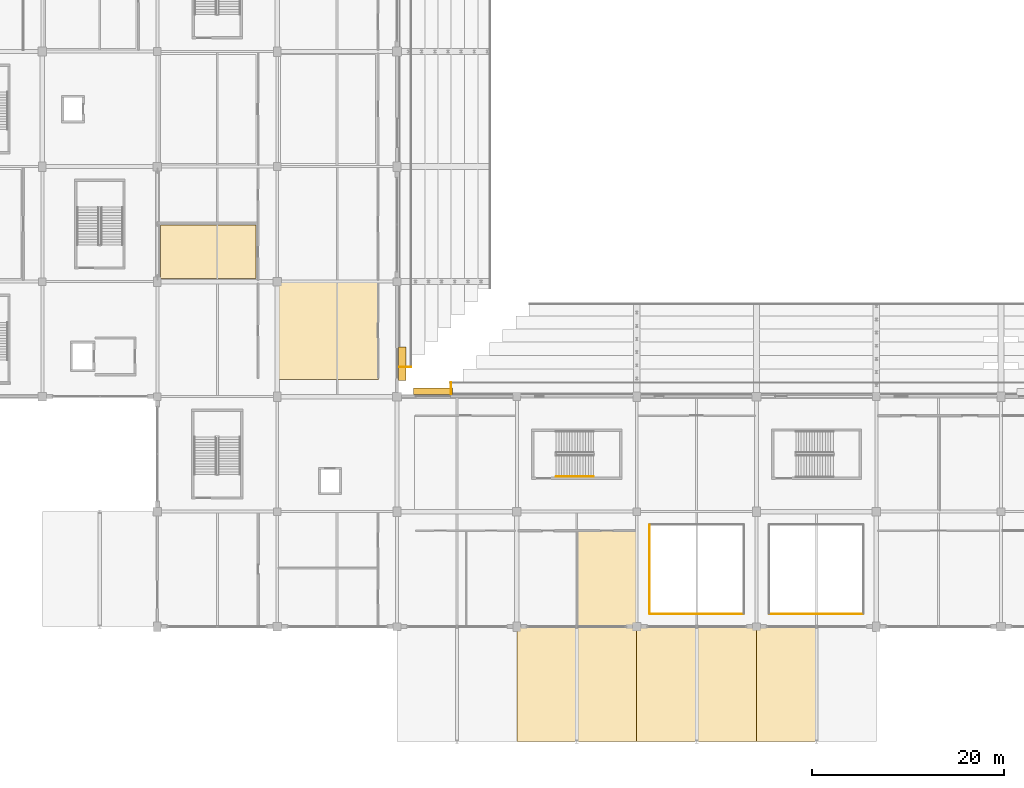
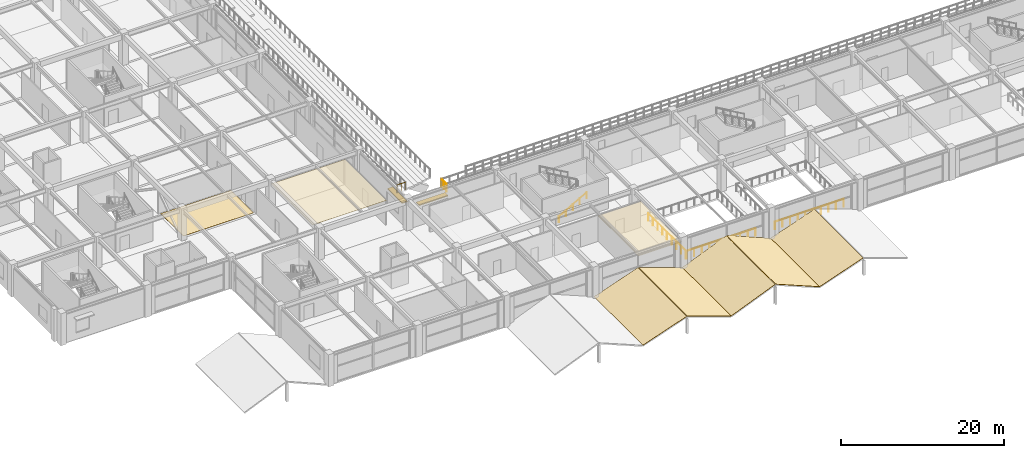
# One storey, part 100 of 134: 8 coverings, 6 railings, 2 shading devices.
"""IFC4 building model written with IfcOpenShell, lengths in metres."""

from ifc_helpers import new_model, si_unit, direction, frame, origin, origin_2d, place, context, subcontext, project, spatial, polyline, rectangle, circle, outline, extrude, material, layer, layer_set, type_object, element, save


model = new_model("IFC4")

# Units and contexts
model_context = context("Model", 3, precision=1e-05, world=origin(), true_north=direction((0.0, 1.0)))
body_context = subcontext(model_context, "Body", "Model", "MODEL_VIEW")
ifc_project = project(units=[si_unit("LENGTHUNIT", "METRE"), si_unit("AREAUNIT", "SQUARE_METRE"), si_unit("VOLUMEUNIT", "CUBIC_METRE"), si_unit("PLANEANGLEUNIT", "RADIAN"), si_unit("MASSUNIT", "GRAM", prefix="KILO")], contexts=[model_context])

# Site, building, storey
site_placement = place(None, origin())
site = spatial("IfcSite", under=ifc_project, at=site_placement, CompositionType="ELEMENT")
building_placement = place(site_placement, origin())
building = spatial("IfcBuilding", under=site, at=building_placement, Name="Kazenohara Klinker Stadium", CompositionType="ELEMENT")
storey_placement = place(building_placement, frame((0.0, 0.0, 5.39990234375)))
storey = spatial("IfcBuildingStorey", under=building, at=storey_placement, Name="L01", CompositionType="ELEMENT", Elevation=5.39990234375)

# Coverings
ifc_material_1 = material(Name="Perforated acoustic mineral-fibre ceiling tile", Category="gypsum")
ifc_layer_1 = layer(ifc_material_1, 0.030029296875)
ifc_layer_set_1 = layer_set([ifc_layer_1], Name="Perforated acoustic mineral-fibre ceiling tile")
covering_type_1 = type_object("IfcCoveringType", Name="COV-CEIL-01", PredefinedType="CEILING", material=ifc_layer_set_1)
covering_1_placement = place(storey_placement, frame((0.0, 0.0, 3.75)))
element("IfcCovering", 1, at=covering_1_placement, inside=storey, type_object=covering_type_1, Name="Suspended acoustic ceiling CL01 Concourse Hokkaido Seafood Bistro L01-0303A", PredefinedType="CEILING", context=body_context, shape_type="SweptSolid", body=[
    extrude(outline(polyline([(36.56005859375, 37.800048828125), (47.0400390625, 37.800048828125), (47.0400390625, 47.9599609375), (36.56005859375, 47.9599609375), (36.56005859375, 37.800048828125)])), origin(), (0.0, 0.0, 1.0), 0.030029296875),
])
covering_2_placement = place(storey_placement, frame((0.0, 0.0, 3.75)))
element("IfcCovering", 2, at=covering_2_placement, inside=storey, type_object=covering_type_1, Name="Suspended acoustic ceiling CL01 Youth Sports Coaching Classroom L01-0501B", PredefinedType="CEILING", context=body_context, shape_type="SweptSolid", body=[
    extrude(outline(polyline([(67.831787109375, 12.06005859375), (73.9599609375, 12.06005859375), (73.9599609375, 22.0400390625), (67.831787109375, 22.0400390625), (67.831787109375, 12.06005859375)])), origin(), (0.0, 0.0, 1.0), 0.030029296875),
])
ifc_material_2 = material(Name="Cushioned EPDM sports rubber flooring", Category="rubber")
ifc_layer_2 = layer(ifc_material_2, 0.014892578125)
ifc_layer_set_2 = layer_set([ifc_layer_2], Name="Cushioned EPDM sports rubber flooring")
covering_type_2 = type_object("IfcCoveringType", Name="COV-FLR-02", PredefinedType="FLOORING", material=ifc_layer_set_2)
covering_3_placement = place(storey_placement, origin())
element("IfcCovering", 3, at=covering_3_placement, inside=storey, type_object=covering_type_2, Name="Interior floor finish FL02 Family Sensory Hospitality Lounge L01-0204A", PredefinedType="FLOORING", context=body_context, shape_type="SweptSolid", body=[
    extrude(outline(polyline([(24.330078125, 48.31005859375), (34.27001953125, 48.31005859375), (34.27001953125, 53.88671875), (24.330078125, 53.88671875), (24.330078125, 48.31005859375)])), origin(), (0.0, 0.0, 1.0), 0.01513671875),
])
ifc_material_3 = material(Name="Insulated standing-seam copper roofing", Category="metal")
ifc_layer_3 = layer(ifc_material_3, 0.050048828125)
ifc_layer_set_3 = layer_set([ifc_layer_3], Name="Insulated standing-seam copper roofing")
covering_type_3 = type_object("IfcCoveringType", Name="COV-ROOF-01", PredefinedType="ROOFING", material=ifc_layer_set_3)
for number, where, z_axis, x_axis, name in (
    (4, (61.5, 0.0, -0.02978515625), (-0.327622925614, 0.0, 0.944808561886), (0.944808561886, 0.0, 0.327622925614), "Standing-seam copper stepped wing roofing L01-A 6/A"),
    (5, (67.800048828125, 0.0, 2.1201171875), (0.327622925614, 0.0, 0.944808561886), (0.944808561886, 0.0, -0.327622925614), "Standing-seam copper stepped wing roofing L01-B 6/A"),
):
    element("IfcCovering", number, at=place(storey_placement, frame(where, z_axis=z_axis, x_axis=x_axis)), inside=storey, type_object=covering_type_3, Name=name, PredefinedType="ROOFING", context=body_context, shape_type="SweptSolid", body=[
        extrude(outline(polyline([(0.0, 0.0), (6.5621242461032345, 0.0), (6.5621242461032345, 12.0), (0.0, 12.0), (0.0, 0.0)])), origin(), (0.0, 0.0, -1.0), 0.050048828125),
    ])
for number, where, z_axis, x_axis, name in (
    (6, (74.0, 0.0, -0.02978515625), (-0.380352293876, 0.0, 0.924841679718), (0.924841679718, 0.0, 0.380352293876), "Standing-seam copper stepped wing roofing L01-A 7/A"),
    (7, (80.300048828125, 0.0, 2.52001953125), (0.380352293876, 0.0, 0.924841679718), (0.924841679718, 0.0, -0.380352293876), "Standing-seam copper stepped wing roofing L01-B 7/A"),
):
    element("IfcCovering", number, at=place(storey_placement, frame(where, z_axis=z_axis, x_axis=x_axis)), inside=storey, type_object=covering_type_3, Name=name, PredefinedType="ROOFING", context=body_context, shape_type="SweptSolid", body=[
        extrude(outline(polyline([(0.0, 0.0), (6.703797317791698, 0.0), (6.703797317791698, 12.0), (0.0, 12.0), (0.0, 0.0)])), origin(), (0.0, 0.0, -1.0), 0.050048828125),
    ])
covering_4_placement = place(storey_placement, frame((86.5, 0.0, -0.02978515625), z_axis=(-0.327622925614, 0.0, 0.944808561886), x_axis=(0.944808561886, 0.0, 0.327622925614)))
element("IfcCovering", 8, at=covering_4_placement, inside=storey, type_object=covering_type_3, Name="Standing-seam copper stepped wing roofing L01-A 8/A", PredefinedType="ROOFING", context=body_context, shape_type="SweptSolid", body=[
    extrude(outline(polyline([(0.0, 0.0), (6.5621242461032345, 0.0), (6.5621242461032345, 12.0), (0.0, 12.0), (0.0, 0.0)])), origin(), (0.0, 0.0, -1.0), 0.050048828125),
])

# Railings
ifc_material_4 = material(Name="Tempered laminated glass and stainless steel 316 balustrade", Category="steel")
ifc_layer_4 = layer(ifc_material_4, 0.090087890625)
ifc_layer_set_4 = layer_set([ifc_layer_4], Name="Tempered laminated glass and stainless steel 316 balustrade")
railing_type_1 = type_object("IfcRailingType", Name="RL-BAL-1150", PredefinedType="BALUSTRADE", material=ifc_layer_set_4)
railing_1_placement = place(storey_placement, frame((75.3701171875, 13.320068359375, 0.0)))
element("IfcRailing", 9, at=railing_1_placement, inside=storey, type_object=railing_type_1, Name="Double-height atrium gallery balustrade BL01-V01-S", PredefinedType="BALUSTRADE", context=body_context, shape_type="SweptSolid", body=[
    extrude(circle(Radius=0.02392578125, at=origin_2d()), frame((0.0, 0.0, 1.1259765625), z_axis=(1.0, 0.0, 0.0), x_axis=(0.0, 1.0, 0.0)), (0.0, 0.0, 1.0), 9.759765625),
    extrude(circle(Radius=0.02099609375, at=origin_2d()), origin(), (0.0, 0.0, 1.0), 1.101806640625),
    extrude(circle(Radius=0.02099609375, at=origin_2d()), frame((1.08447265625, 0.0, 0.0)), (0.0, 0.0, 1.0), 1.101806640625),
    extrude(circle(Radius=0.02099609375, at=origin_2d()), frame((2.1689453125, 0.0, 0.0)), (0.0, 0.0, 1.0), 1.101806640625),
    extrude(circle(Radius=0.02099609375, at=origin_2d()), frame((3.253173828125, 0.0, 0.0)), (0.0, 0.0, 1.0), 1.101806640625),
    extrude(circle(Radius=0.02099609375, at=origin_2d()), frame((4.337646484375, 0.0, 0.0)), (0.0, 0.0, 1.0), 1.101806640625),
    extrude(circle(Radius=0.02099609375, at=origin_2d()), frame((5.422119140625, 0.0, 0.0)), (0.0, 0.0, 1.0), 1.101806640625),
    extrude(circle(Radius=0.02099609375, at=origin_2d()), frame((6.506591796875, 0.0, 0.0)), (0.0, 0.0, 1.0), 1.101806640625),
    extrude(circle(Radius=0.02099609375, at=origin_2d()), frame((7.5908203125, 0.0, 0.0)), (0.0, 0.0, 1.0), 1.101806640625),
    extrude(circle(Radius=0.02099609375, at=origin_2d()), frame((8.67529296875, 0.0, 0.0)), (0.0, 0.0, 1.0), 1.101806640625),
    extrude(circle(Radius=0.02099609375, at=origin_2d()), frame((9.759765625, 0.0, 0.0)), (0.0, 0.0, 1.0), 1.101806640625),
])
railing_2_placement = place(storey_placement, frame((75.320068359375, 13.3701171875, 0.0)))
element("IfcRailing", 10, at=railing_2_placement, inside=storey, type_object=railing_type_1, Name="Double-height atrium gallery balustrade BL01-V01-W", PredefinedType="BALUSTRADE", context=body_context, shape_type="SweptSolid", body=[
    extrude(circle(Radius=0.02392578125, at=origin_2d()), frame((0.0, 0.0, 1.1259765625), z_axis=(0.0, 1.0, 0.0), x_axis=(-1.0, 0.0, 0.0)), (0.0, 0.0, 1.0), 9.259765625),
    extrude(circle(Radius=0.02099609375, at=origin_2d()), origin(), (0.0, 0.0, 1.0), 1.101806640625),
    extrude(circle(Radius=0.02099609375, at=origin_2d()), frame((0.0, 1.157470703125, 0.0)), (0.0, 0.0, 1.0), 1.101806640625),
    extrude(circle(Radius=0.02099609375, at=origin_2d()), frame((0.0, 2.31494140625, 0.0)), (0.0, 0.0, 1.0), 1.101806640625),
    extrude(circle(Radius=0.02099609375, at=origin_2d()), frame((0.0, 3.472412109375, 0.0)), (0.0, 0.0, 1.0), 1.101806640625),
    extrude(circle(Radius=0.02099609375, at=origin_2d()), frame((0.0, 4.6298828125, 0.0)), (0.0, 0.0, 1.0), 1.101806640625),
    extrude(circle(Radius=0.02099609375, at=origin_2d()), frame((0.0, 5.787353515625, 0.0)), (0.0, 0.0, 1.0), 1.101806640625),
    extrude(circle(Radius=0.02099609375, at=origin_2d()), frame((0.0, 6.94482421875, 0.0)), (0.0, 0.0, 1.0), 1.101806640625),
    extrude(circle(Radius=0.02099609375, at=origin_2d()), frame((0.0, 8.102294921875, 0.0)), (0.0, 0.0, 1.0), 1.101806640625),
    extrude(circle(Radius=0.02099609375, at=origin_2d()), frame((0.0, 9.259765625, 0.0)), (0.0, 0.0, 1.0), 1.101806640625),
])
railing_3_placement = place(storey_placement, frame((87.8701171875, 13.320068359375, 0.0)))
element("IfcRailing", 11, at=railing_3_placement, inside=storey, type_object=railing_type_1, Name="Double-height atrium gallery balustrade BL01-V02-S", PredefinedType="BALUSTRADE", context=body_context, shape_type="SweptSolid", body=[
    extrude(circle(Radius=0.02392578125, at=origin_2d()), frame((0.0, 0.0, 1.1259765625), z_axis=(1.0, 0.0, 0.0), x_axis=(0.0, 1.0, 0.0)), (0.0, 0.0, 1.0), 9.759765625),
    extrude(circle(Radius=0.02099609375, at=origin_2d()), origin(), (0.0, 0.0, 1.0), 1.101806640625),
    extrude(circle(Radius=0.02099609375, at=origin_2d()), frame((1.08447265625, 0.0, 0.0)), (0.0, 0.0, 1.0), 1.101806640625),
    extrude(circle(Radius=0.02099609375, at=origin_2d()), frame((2.1689453125, 0.0, 0.0)), (0.0, 0.0, 1.0), 1.101806640625),
    extrude(circle(Radius=0.02099609375, at=origin_2d()), frame((3.253173828125, 0.0, 0.0)), (0.0, 0.0, 1.0), 1.101806640625),
    extrude(circle(Radius=0.02099609375, at=origin_2d()), frame((4.337646484375, 0.0, 0.0)), (0.0, 0.0, 1.0), 1.101806640625),
    extrude(circle(Radius=0.02099609375, at=origin_2d()), frame((5.422119140625, 0.0, 0.0)), (0.0, 0.0, 1.0), 1.101806640625),
    extrude(circle(Radius=0.02099609375, at=origin_2d()), frame((6.506591796875, 0.0, 0.0)), (0.0, 0.0, 1.0), 1.101806640625),
    extrude(circle(Radius=0.02099609375, at=origin_2d()), frame((7.5908203125, 0.0, 0.0)), (0.0, 0.0, 1.0), 1.101806640625),
    extrude(circle(Radius=0.02099609375, at=origin_2d()), frame((8.67529296875, 0.0, 0.0)), (0.0, 0.0, 1.0), 1.101806640625),
    extrude(circle(Radius=0.02099609375, at=origin_2d()), frame((9.759765625, 0.0, 0.0)), (0.0, 0.0, 1.0), 1.101806640625),
])
ifc_material_5 = material(Name="Galvanised powder-coated steel guardrail", Category="steel")
ifc_layer_5 = layer(ifc_material_5, 0.070068359375)
ifc_layer_set_5 = layer_set([ifc_layer_5], Name="Galvanised powder-coated steel guardrail")
railing_type_2 = type_object("IfcRailingType", Name="RL-GRD-1150", PredefinedType="GUARDRAIL", material=ifc_layer_set_5)
railing_4_placement = place(storey_placement, frame((49.260009765625, 39.111328125, 3.400146484375)))
element("IfcRailing", 12, at=railing_4_placement, inside=storey, type_object=railing_type_2, Name="Spectator stand sightline guardrail TIER-LOWER-W-01-S", PredefinedType="GUARDRAIL", context=body_context, shape_type="SweptSolid", body=[
    extrude(circle(Radius=0.02392578125, at=origin_2d()), frame((0.0, 0.0, 1.1259765625), z_axis=(1.0, 0.0, 0.0), x_axis=(0.0, 1.0, 0.0)), (0.0, 0.0, 1.0), 1.21142578125),
    extrude(circle(Radius=0.02099609375, at=origin_2d()), origin(), (0.0, 0.0, 1.0), 1.101806640625),
    extrude(circle(Radius=0.02099609375, at=origin_2d()), frame((0.605712890625, 0.0, 0.0)), (0.0, 0.0, 1.0), 1.101806640625),
    extrude(circle(Radius=0.02099609375, at=origin_2d()), frame((1.21142578125, 0.0, 0.0)), (0.0, 0.0, 1.0), 1.101806640625),
])
railing_5_placement = place(storey_placement, frame((54.611328125, 36.260009765625, 3.400146484375)))
element("IfcRailing", 13, at=railing_5_placement, inside=storey, type_object=railing_type_2, Name="Spectator stand sightline guardrail TIER-LOWER-S-01-W", PredefinedType="GUARDRAIL", context=body_context, shape_type="SweptSolid", body=[
    extrude(circle(Radius=0.02392578125, at=origin_2d()), frame((0.0, 0.0, 1.1259765625), z_axis=(0.0, 1.0, 0.0), x_axis=(-1.0, 0.0, 0.0)), (0.0, 0.0, 1.0), 1.21142578125),
    extrude(circle(Radius=0.02099609375, at=origin_2d()), origin(), (0.0, 0.0, 1.0), 1.101806640625),
    extrude(circle(Radius=0.02099609375, at=origin_2d()), frame((0.0, 0.605712890625, 0.0)), (0.0, 0.0, 1.0), 1.101806640625),
    extrude(circle(Radius=0.02099609375, at=origin_2d()), frame((0.0, 1.21142578125, 0.0)), (0.0, 0.0, 1.0), 1.101806640625),
])
ifc_material_6 = material(Name="Brushed stainless steel 304 handrail", Category="steel")
ifc_layer_6 = layer(ifc_material_6, 0.050048828125)
ifc_layer_set_6 = layer_set([ifc_layer_6], Name="Brushed stainless steel 304 handrail")
railing_type_3 = type_object("IfcRailingType", Name="RL-HND-900", PredefinedType="HANDRAIL", material=ifc_layer_set_6)
railing_6_placement = place(storey_placement, frame((65.590087890625, 27.64990234375, 0.16015625)))
element("IfcRailing", 14, at=railing_6_placement, inside=storey, type_object=railing_type_3, Name="L01 ST25 stair handrail 1", PredefinedType="HANDRAIL", context=body_context, shape_type="SweptSolid", body=[
    extrude(circle(Radius=0.02392578125, at=origin_2d()), frame((0.0, 0.0, 0.8759765625), z_axis=(0.868239814368, 0.0, 0.496144761885), x_axis=(0.0, 1.0, 0.0)), (0.0, 0.0, 1.0), 4.514892578125),
    extrude(circle(Radius=0.02099609375, at=origin_2d()), origin(), (0.0, 0.0, 1.0), 0.851806640625),
    extrude(circle(Radius=0.02099609375, at=origin_2d()), frame((0.97998046875, 0.0, 0.56005859375)), (0.0, 0.0, 1.0), 0.851806640625),
    extrude(circle(Radius=0.02099609375, at=origin_2d()), frame((1.9599609375, 0.0, 1.1201171875)), (0.0, 0.0, 1.0), 0.851806640625),
    extrude(circle(Radius=0.02099609375, at=origin_2d()), frame((2.93994140625, 0.0, 1.679931640625)), (0.0, 0.0, 1.0), 0.851806640625),
    extrude(circle(Radius=0.02099609375, at=origin_2d()), frame((3.919921875, 0.0, 2.239990234375)), (0.0, 0.0, 1.0), 0.851806640625),
])

# Shading devices
ifc_material_7 = material(Name="Bronze-anodised aluminium snow-hood sunshade", Category="aluminium")
shading_device_type_1 = type_object("IfcShadingDeviceType", Name="SHD-SUN-01", PredefinedType="AWNING", material=ifc_material_7)
shading_device_1_placement = place(storey_placement, frame((52.75390625, 36.550048828125, 2.64990234375), z_axis=(0.0, 0.0, 1.0), x_axis=(1.0, 0.0, 0.0)))
element("IfcShadingDevice", 15, at=shading_device_1_placement, inside=storey, type_object=shading_device_type_1, Name="Bronze snow-hood sunshade SS01-05", PredefinedType="AWNING", context=body_context, shape_type="SweptSolid", body=[
    extrude(rectangle(XDim=4.10009765625, YDim=0.699951171875, at=origin_2d()), origin(), (0.0, 0.0, 1.0), 0.159912109375),
])
shading_device_type_2 = type_object("IfcShadingDeviceType", Name="SHD-SUN-02", PredefinedType="AWNING", material=ifc_material_7)
shading_device_2_placement = place(storey_placement, frame((49.5400390625, 39.4541015625, 2.59033203125), z_axis=(0.0, 0.0, 1.0), x_axis=(0.0, 1.0, 0.0)))
element("IfcShadingDevice", 16, at=shading_device_2_placement, inside=storey, type_object=shading_device_type_2, Name="Bronze snow-hood sunshade SS02-04", PredefinedType="AWNING", context=body_context, shape_type="SweptSolid", body=[
    extrude(rectangle(XDim=3.5, YDim=0.75, at=origin_2d()), origin(), (0.0, 0.0, 1.0), 0.179931640625),
])

save(model, "model.ifc")
